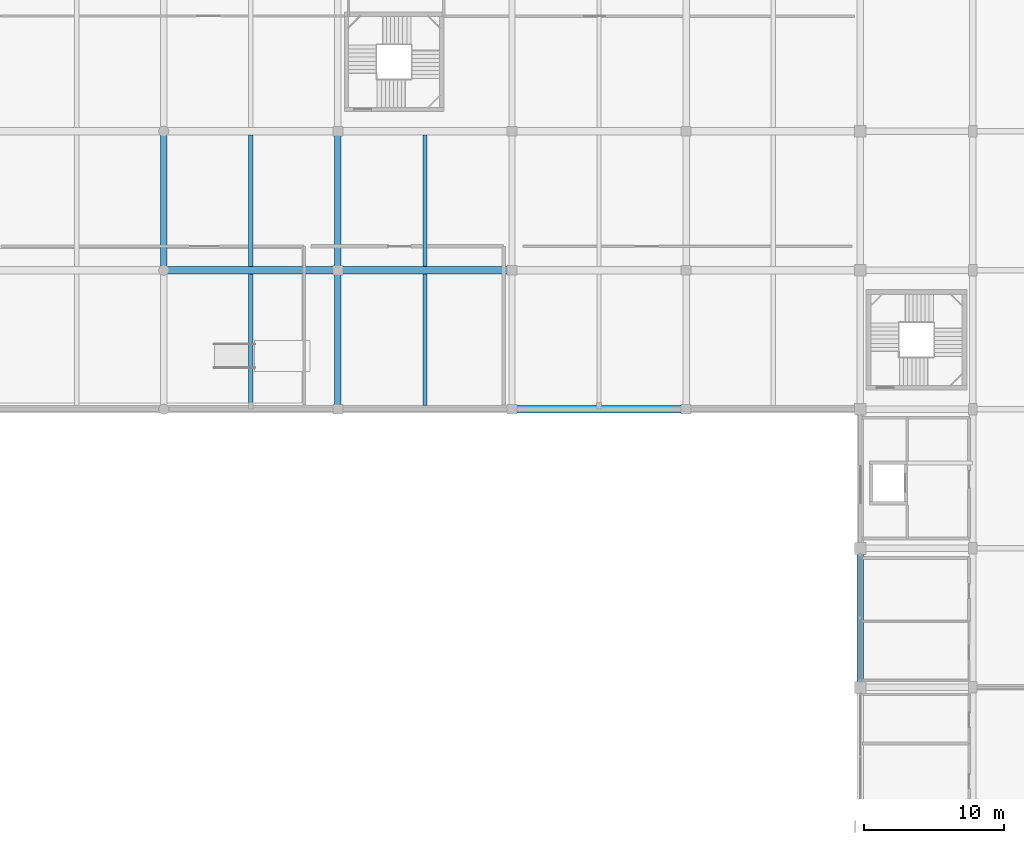
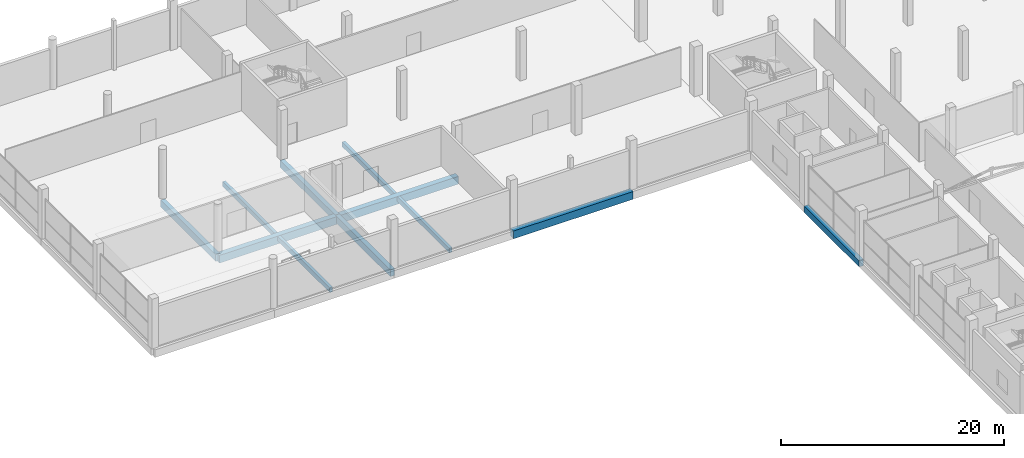
# One storey, part 19 of 72: 11 beams.
"""IFC4 building model written with IfcOpenShell, lengths in metres."""

from ifc_helpers import new_model, si_unit, direction, frame, origin, origin_2d, place, context, subcontext, project, spatial, rectangle, extrude, material, material_profile, profile_set, type_object, element, save


model = new_model("IFC4")

# Units and contexts
model_context = context("Model", 3, precision=1e-05, world=origin(), true_north=direction((0.0, 1.0)))
body_context = subcontext(model_context, "Body", "Model", "MODEL_VIEW")
ifc_project = project(units=[si_unit("LENGTHUNIT", "METRE"), si_unit("AREAUNIT", "SQUARE_METRE"), si_unit("VOLUMEUNIT", "CUBIC_METRE"), si_unit("PLANEANGLEUNIT", "RADIAN"), si_unit("MASSUNIT", "GRAM", prefix="KILO")], contexts=[model_context])

# Site, building, storey
site_placement = place(None, origin())
site = spatial("IfcSite", under=ifc_project, at=site_placement, CompositionType="ELEMENT")
building_placement = place(site_placement, origin())
building = spatial("IfcBuilding", under=site, at=building_placement, Name="Sillaruma Civic Art Gallery", CompositionType="ELEMENT")
storey_placement = place(building_placement, frame((0.0, 0.0, 10.8798828125)))
storey = spatial("IfcBuildingStorey", under=building, at=storey_placement, Name="L02", CompositionType="ELEMENT", Elevation=10.8798828125)

# Beams
ifc_material_1 = material(Name="Concrete H40 (40 MPa)", Category="concrete")
ifc_material_profile_1 = material_profile(ifc_material_1, rectangle(XDim=0.449951171875, YDim=0.75, at=origin_2d()), Name="RCB450x750")
ifc_profile_set_1 = profile_set([ifc_material_profile_1], Name="Concrete H40 (40 MPa)")
beam_type_1 = type_object("IfcBeamType", Name="BM-BEAM-RCB450x750", PredefinedType="BEAM", material=ifc_profile_set_1)
beam_1_placement = place(storey_placement, frame((12.39990234375, 89.10009765625, -0.634765625), z_axis=(0.0, 1.0, 0.0), x_axis=(-1.0, 0.0, 0.0)))
element("IfcBeam", 1, at=beam_1_placement, inside=storey, type_object=beam_type_1, Name="Beam BM-03 (L01:B:10-11)", PredefinedType="BEAM", context=body_context, shape_type="SweptSolid", body=[
    extrude(rectangle(XDim=0.449951171875, YDim=0.75, at=origin_2d()), origin(), (0.0, 0.0, 1.0), 9.89990234375),
])
beam_2_placement = place(storey_placement, frame((24.800048828125, 79.199951171875, -0.634765625), z_axis=(0.0, 1.0, 0.0), x_axis=(-1.0, 0.0, 0.0)))
element("IfcBeam", 2, at=beam_2_placement, inside=storey, type_object=beam_type_1, Name="Beam BM-03 (L01:C:9-10)", PredefinedType="BEAM", context=body_context, shape_type="SweptSolid", body=[
    extrude(rectangle(XDim=0.449951171875, YDim=0.75, at=origin_2d()), origin(), (0.0, 0.0, 1.0), 9.900146484375),
])
beam_3_placement = place(storey_placement, frame((24.800048828125, 89.10009765625, -0.634765625), z_axis=(0.0, 1.0, 0.0), x_axis=(-1.0, 0.0, 0.0)))
element("IfcBeam", 3, at=beam_3_placement, inside=storey, type_object=beam_type_1, Name="Beam BM-03 (L01:C:10-11)", PredefinedType="BEAM", context=body_context, shape_type="SweptSolid", body=[
    extrude(rectangle(XDim=0.449951171875, YDim=0.75, at=origin_2d()), origin(), (0.0, 0.0, 1.0), 9.89990234375),
])
ifc_material_profile_2 = material_profile(ifc_material_1, rectangle(XDim=0.550048828125, YDim=0.85009765625, at=origin_2d()), Name="RCB550x850")
ifc_profile_set_2 = profile_set([ifc_material_profile_2], Name="Concrete H40 (40 MPa)")
beam_type_2 = type_object("IfcBeamType", Name="BM-BEAM-RCB550x850", PredefinedType="BEAM", material=ifc_profile_set_2)
for number, where, z_axis, x_axis, name in (
    (4, (37.199951171875, 79.199951171875, -0.684814453125), (1.0, 0.0, 0.0), (0.0, 1.0, 0.0), "Beam BM-01 (L01:9:D-E)"),
    (5, (12.39990234375, 89.10009765625, -0.684814453125), (1.0, 0.0, 0.0), (0.0, 1.0, 0.0), "Beam BM-01 (L01:10:B-C)"),
):
    element("IfcBeam", number, at=place(storey_placement, frame(where, z_axis=z_axis, x_axis=x_axis)), inside=storey, type_object=beam_type_2, Name=name, PredefinedType="BEAM", context=body_context, shape_type="SweptSolid", body=[
        extrude(rectangle(XDim=0.550048828125, YDim=0.85009765625, at=origin_2d()), origin(), (0.0, 0.0, 1.0), 12.400146484375),
    ])
beam_4_placement = place(storey_placement, frame((24.800048828125, 89.10009765625, -0.684814453125), z_axis=(1.0, 0.0, 0.0), x_axis=(0.0, 1.0, 0.0)))
element("IfcBeam", 6, at=beam_4_placement, inside=storey, type_object=beam_type_2, Name="Beam BM-01 (L01:10:C-D)", PredefinedType="BEAM", context=body_context, shape_type="SweptSolid", body=[
    extrude(rectangle(XDim=0.550048828125, YDim=0.85009765625, at=origin_2d()), origin(), (0.0, 0.0, 1.0), 12.39990234375),
])
ifc_material_2 = material(Name="Concrete H35 (35 MPa)", Category="concrete")
ifc_material_profile_3 = material_profile(ifc_material_2, rectangle(XDim=0.300048828125, YDim=0.52001953125, at=origin_2d()), Name="RCB300x520")
ifc_profile_set_3 = profile_set([ifc_material_profile_3], Name="Concrete H35 (35 MPa)")
beam_type_3 = type_object("IfcBeamType", Name="BM-JOIST-RCB300x520", PredefinedType="JOIST", material=ifc_profile_set_3)
for number, where, z_axis, x_axis, name in (
    (7, (18.60009765625, 79.47509765625, -0.519775390625), (0.0, 1.0, 0.0), (-1.0, 0.0, 0.0), "Floor Joist JR-01 (L01:BC:9-10)"),
    (8, (31.0, 79.47509765625, -0.519775390625), (0.0, 1.0, 0.0), (-1.0, 0.0, 0.0), "Floor Joist JR-01 (L01:CD:9-10)"),
):
    element("IfcBeam", number, at=place(storey_placement, frame(where, z_axis=z_axis, x_axis=x_axis)), inside=storey, type_object=beam_type_3, Name=name, PredefinedType="JOIST", context=body_context, shape_type="SweptSolid", body=[
        extrude(rectangle(XDim=0.300048828125, YDim=0.52001953125, at=origin_2d()), origin(), (0.0, 0.0, 1.0), 9.349853515625),
    ])
for number, where, z_axis, x_axis, name in (
    (9, (18.60009765625, 89.375, -0.519775390625), (0.0, 1.0, 0.0), (-1.0, 0.0, 0.0), "Floor Joist JR-01 (L01:BC:10-11)"),
    (10, (31.0, 89.375, -0.519775390625), (0.0, 1.0, 0.0), (-1.0, 0.0, 0.0), "Floor Joist JR-01 (L01:CD:10-11)"),
):
    element("IfcBeam", number, at=place(storey_placement, frame(where, z_axis=z_axis, x_axis=x_axis)), inside=storey, type_object=beam_type_3, Name=name, PredefinedType="JOIST", context=body_context, shape_type="SweptSolid", body=[
        extrude(rectangle(XDim=0.300048828125, YDim=0.52001953125, at=origin_2d()), origin(), (0.0, 0.0, 1.0), 9.35009765625),
    ])
ifc_material_profile_4 = material_profile(ifc_material_2, rectangle(XDim=0.449951171875, YDim=0.699951171875, at=origin_2d()), Name="RCB450x700")
ifc_profile_set_4 = profile_set([ifc_material_profile_4], Name="Concrete H35 (35 MPa)")
beam_type_4 = type_object("IfcBeamType", Name="BM-SPANDREL-RCB450x700", PredefinedType="SPANDREL", material=ifc_profile_set_4)
beam_5_placement = place(storey_placement, frame((62.0, 59.39990234375, -0.60986328125), z_axis=(0.0, 1.0, 0.0), x_axis=(-1.0, 0.0, 0.0)))
element("IfcBeam", 11, at=beam_5_placement, inside=storey, type_object=beam_type_4, Name="Beam BS-03 (L01:F:7-8)", PredefinedType="SPANDREL", context=body_context, shape_type="SweptSolid", body=[
    extrude(rectangle(XDim=0.449951171875, YDim=0.699951171875, at=origin_2d()), origin(), (0.0, 0.0, 1.0), 9.900146484375),
])

save(model, "model.ifc")
